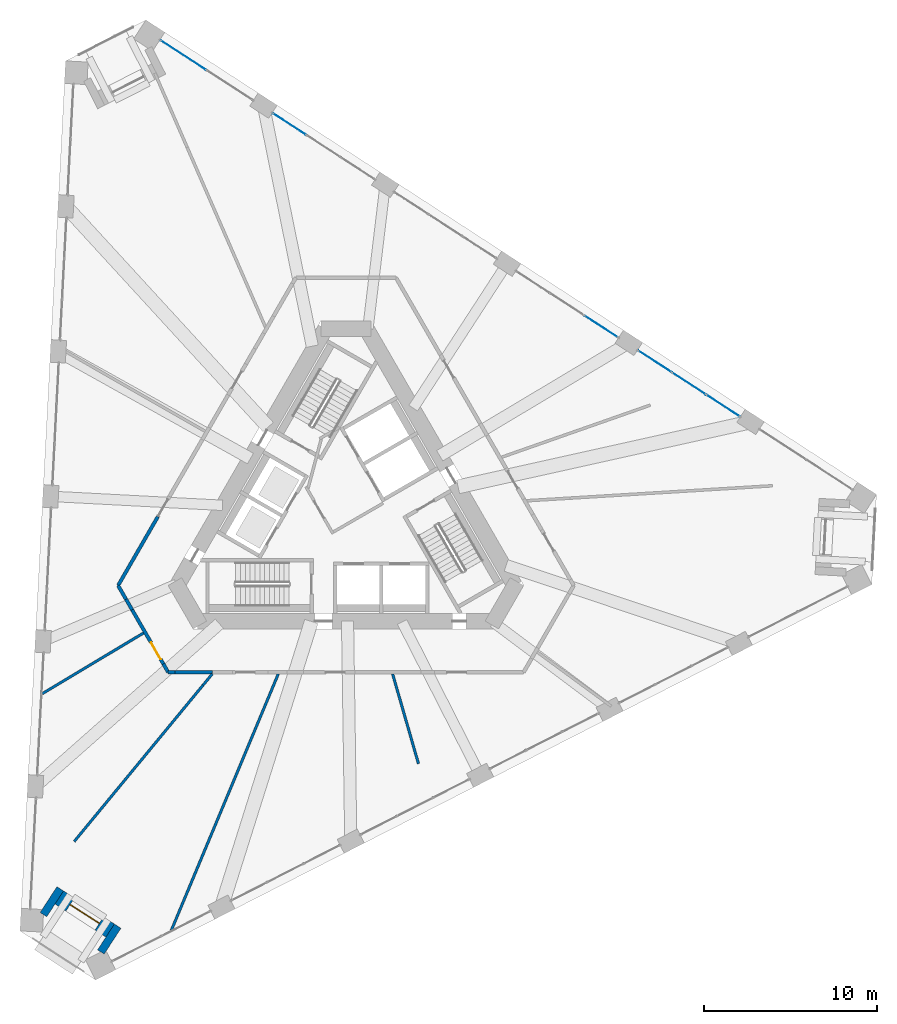
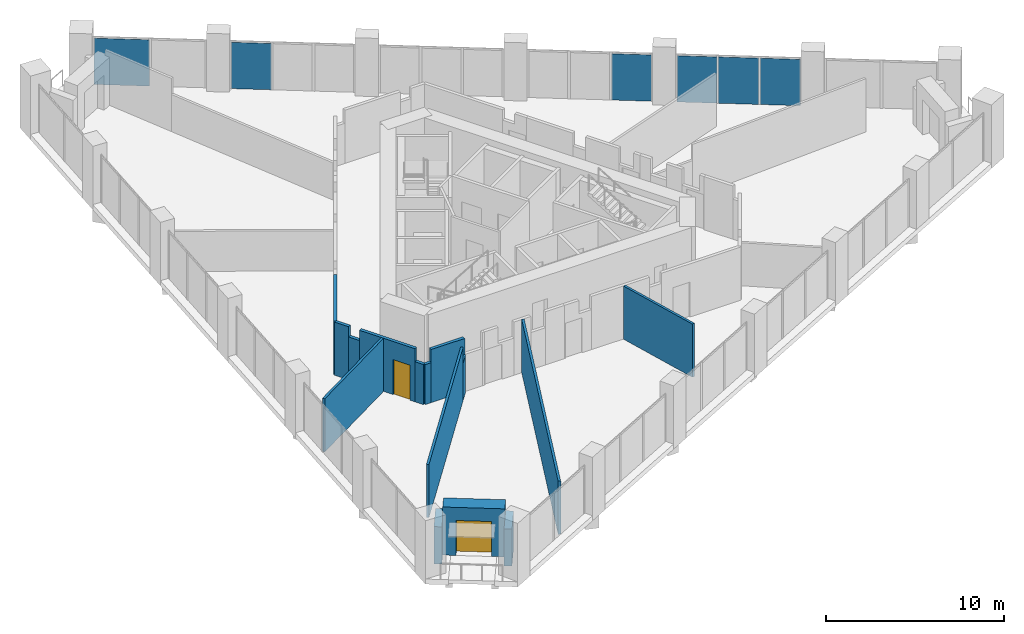
# One storey, part 11 of 18: 15 walls, 6 plates, 2 doors, 2 openings, 4 elements without a shape of their own.
"""IFC4 building model written with IfcOpenShell, lengths in metres."""

from ifc_helpers import new_model, si_unit, direction, frame, frame_2d, origin, origin_2d, place, context, subcontext, project, spatial, rectangle, extrude, material, layer, layer_set, type_object, element, fill, aggregate, save


model = new_model("IFC4")

# Units and contexts
model_context = context("Model", 3, precision=1e-05, world=origin(), true_north=direction((0.0, 1.0)))
body_context = subcontext(model_context, "Body", "Model", "MODEL_VIEW")
ifc_project = project(units=[si_unit("LENGTHUNIT", "METRE"), si_unit("AREAUNIT", "SQUARE_METRE"), si_unit("VOLUMEUNIT", "CUBIC_METRE"), si_unit("PLANEANGLEUNIT", "RADIAN"), si_unit("MASSUNIT", "GRAM", prefix="KILO")], contexts=[model_context])

# Site, building, storey
site_placement = place(None, origin())
site = spatial("IfcSite", under=ifc_project, at=site_placement, CompositionType="ELEMENT")
building_placement = place(site_placement, origin())
building = spatial("IfcBuilding", under=site, at=building_placement, Name="Tramontana Tower", CompositionType="ELEMENT")
storey_placement = place(building_placement, frame((0.0, 0.0, 125.60009765625)))
storey = spatial("IfcBuildingStorey", under=building, at=storey_placement, Name="L28", CompositionType="ELEMENT", Elevation=125.60009765625)

# Curtain wall, plates
ifc_material_1 = material(Name="Aluminum extrusion", Category="aluminium")
ifc_layer_1 = layer(ifc_material_1, 0.14990234375)
ifc_layer_set_1 = layer_set([ifc_layer_1], Name="CW3 Sky lobby 1 curtain wall")
curtain_wall_type = type_object("IfcCurtainWallType", Name="CW3 Sky lobby 1 curtain wall", PredefinedType="NOTDEFINED", material=ifc_layer_set_1)
curtain_wall_1_placement = place(storey_placement, origin())
curtain_wall_1 = element("IfcCurtainWall", 1, at=curtain_wall_1_placement, inside=storey, type_object=curtain_wall_type, Name="CW3 curtain wall L28 face 2 bay 2", PredefinedType="NOTDEFINED")
ifc_material_2 = material(Name="Low-iron double glazing unit", Category="glass")
ifc_layer_2 = layer(ifc_material_2, 0.028076171875)
ifc_layer_set_2 = layer_set([ifc_layer_2], Name="CW3-P Glazing panel 28")
plate_type = type_object("IfcPlateType", Name="CW3-P Glazing panel 28", PredefinedType="CURTAIN_PANEL", material=ifc_layer_set_2)
plate_1_placement = place(storey_placement, frame((21.740966796875, 6.12158203125, 0.0), z_axis=(0.0, 0.0, 1.0), x_axis=(-0.838670567945, 0.544639035015, 0.0)))
plate_1 = element("IfcPlate", 2, at=plate_1_placement, type_object=plate_type, Name="CW3 curtain wall L28 face 2 bay 2 panel 1.1", PredefinedType="CURTAIN_PANEL", context=body_context, shape_type="SweptSolid", body=[
    extrude(rectangle(XDim=2.26708984375, YDim=0.028076171875, at=origin_2d()), origin(), (0.0, 0.0, 1.0), 3.179931640625),
])
plate_2_placement = place(storey_placement, frame((19.77685546875, 7.397216796875, 0.0), z_axis=(0.0, 0.0, 1.0), x_axis=(-0.838670567945, 0.544639035015, 0.0)))
plate_2 = element("IfcPlate", 3, at=plate_2_placement, type_object=plate_type, Name="CW3 curtain wall L28 face 2 bay 2 panel 2.1", PredefinedType="CURTAIN_PANEL", context=body_context, shape_type="SweptSolid", body=[
    extrude(rectangle(XDim=2.297119140625, YDim=0.028076171875, at=origin_2d()), origin(), (0.0, 0.0, 1.0), 3.179931640625),
])
plate_3_placement = place(storey_placement, frame((17.8125, 8.6728515625, 0.0), z_axis=(0.0, 0.0, 1.0), x_axis=(-0.838670567945, 0.544639035015, 0.0)))
plate_3 = element("IfcPlate", 4, at=plate_3_placement, type_object=plate_type, Name="CW3 curtain wall L28 face 2 bay 2 panel 3.1", PredefinedType="CURTAIN_PANEL", context=body_context, shape_type="SweptSolid", body=[
    extrude(rectangle(XDim=2.26708984375, YDim=0.028076171875, at=origin_2d()), origin(), (0.0, 0.0, 1.0), 3.179931640625),
])
aggregate(curtain_wall_1, [plate_1, plate_2, plate_3])

# Curtain wall, plate
curtain_wall_2_placement = place(storey_placement, origin())
curtain_wall_2 = element("IfcCurtainWall", 5, at=curtain_wall_2_placement, inside=storey, type_object=curtain_wall_type, Name="CW3 curtain wall L28 face 2 bay 3", PredefinedType="NOTDEFINED")
plate_4_placement = place(storey_placement, frame((14.719970703125, 10.68115234375, 0.0), z_axis=(0.0, 0.0, 1.0), x_axis=(-0.838670567945, 0.544639035015, 0.0)))
plate_4 = element("IfcPlate", 6, at=plate_4_placement, type_object=plate_type, Name="CW3 curtain wall L28 face 2 bay 3 panel 1.1", PredefinedType="CURTAIN_PANEL", context=body_context, shape_type="SweptSolid", body=[
    extrude(rectangle(XDim=2.26708984375, YDim=0.028076171875, at=origin_2d()), origin(), (0.0, 0.0, 1.0), 3.179931640625),
])
aggregate(curtain_wall_2, [plate_4])

curtain_wall_3_placement = place(storey_placement, origin())
curtain_wall_3 = element("IfcCurtainWall", 7, at=curtain_wall_3_placement, inside=storey, type_object=curtain_wall_type, Name="CW3 curtain wall L28 face 2 bay 5", PredefinedType="NOTDEFINED")
plate_5_placement = place(storey_placement, frame((-3.25048828125, 22.351318359375, 0.0), z_axis=(0.0, 0.0, 1.0), x_axis=(-0.838670567945, 0.544639035015, 0.0)))
plate_5 = element("IfcPlate", 8, at=plate_5_placement, type_object=plate_type, Name="CW3 curtain wall L28 face 2 bay 5 panel 3.1", PredefinedType="CURTAIN_PANEL", context=body_context, shape_type="SweptSolid", body=[
    extrude(rectangle(XDim=2.26708984375, YDim=0.028076171875, at=origin_2d()), origin(), (0.0, 0.0, 1.0), 3.179931640625),
])
aggregate(curtain_wall_3, [plate_5])

curtain_wall_4_placement = place(storey_placement, origin())
curtain_wall_4 = element("IfcCurtainWall", 9, at=curtain_wall_4_placement, inside=storey, type_object=curtain_wall_type, Name="CW3 curtain wall L28 face 2 bay 6", PredefinedType="NOTDEFINED")
plate_6_placement = place(storey_placement, frame((-9.368408203125, 26.32421875, 0.0), z_axis=(0.0, 0.0, 1.0), x_axis=(-0.838670567945, 0.544639035015, 0.0)))
plate_6 = element("IfcPlate", 10, at=plate_6_placement, type_object=plate_type, Name="CW3 curtain wall L28 face 2 bay 6 panel 2.1", PredefinedType="CURTAIN_PANEL", context=body_context, shape_type="SweptSolid", body=[
    extrude(rectangle(XDim=3.120849609375, YDim=0.028076171875, at=origin_2d()), origin(), (0.0, 0.0, 1.0), 3.179931640625),
])
aggregate(curtain_wall_4, [plate_6])

# Walls
ifc_material_3 = material(Name="Blockwork", Category="masonry")
ifc_layer_3 = layer(ifc_material_3, 0.199951171875)
ifc_layer_set_3 = layer_set([ifc_layer_3], Name="ENTRY WALL 200")
wall_type_1 = type_object("IfcWallType", Name="ENTRY WALL 200", PredefinedType="SOLIDWALL", material=ifc_layer_set_3)
wall_1_placement = place(storey_placement, frame((-7.679931640625, -9.25, 0.0), z_axis=(0.0, 0.0, 1.0), x_axis=(-1.0, 0.0, 0.0)))
element("IfcWall", 11, at=wall_1_placement, inside=storey, type_object=wall_type_1, Name="Wall ew2-10", PredefinedType="SOLIDWALL", context=body_context, shape_type="SweptSolid", body=[
    extrude(rectangle(XDim=2.1787109375, YDim=0.199951171875, at=frame_2d((1.08935546875, 0.0))), origin(), (0.0, 0.0, 1.0), 3.64990234375),
])
wall_2_placement = place(storey_placement, frame((-9.858642578125, -9.25, 0.0), z_axis=(0.0, 0.0, 1.0), x_axis=(-1.0, 0.0, 0.0)))
element("IfcWall", 12, at=wall_2_placement, inside=storey, type_object=wall_type_1, Name="Wall ew2-11", PredefinedType="SOLIDWALL", context=body_context, shape_type="SweptSolid", body=[
    extrude(rectangle(XDim=0.389404296875, YDim=0.199951171875, at=frame_2d((0.19482421875, 0.0))), origin(), (0.0, 0.0, 1.0), 2.75),
])
wall_3_placement = place(storey_placement, frame((-10.248046875, -9.25, 0.0), z_axis=(0.0, 0.0, 1.0), x_axis=(-0.499887958344, 0.866090081402, 0.0)))
element("IfcWall", 13, at=wall_3_placement, inside=storey, type_object=wall_type_1, Name="Wall ew3-0", PredefinedType="SOLIDWALL", context=body_context, shape_type="SweptSolid", body=[
    extrude(rectangle(XDim=0.553466796875, YDim=0.199951171875, at=frame_2d((0.27685546875, 0.0))), origin(), (0.0, 0.0, 1.0), 2.75),
])

# Wall, opening, door
wall_4_placement = place(storey_placement, frame((-10.524658203125, -8.770751953125, 0.0), z_axis=(0.0, 0.0, 1.0), x_axis=(-0.500031425827, 0.866007259314, 0.0)))
wall_4 = element("IfcWall", 14, at=wall_4_placement, inside=storey, type_object=wall_type_1, Name="Wall ew3-1", PredefinedType="SOLIDWALL", context=body_context, shape_type="SweptSolid", body=[
    extrude(rectangle(XDim=3.602294921875, YDim=0.199951171875, at=frame_2d((1.80126953125, 0.0))), origin(), (0.0, 0.0, 1.0), 3.64990234375),
])
opening_1_placement = place(wall_4_placement, frame((0.31201171875, 0.0, 0.0)))
opening_1 = element("IfcOpeningElement", 15, at=opening_1_placement, cuts=wall_4, Name="Opening L28-04", PredefinedType="OPENING", context=body_context, shape_type="SweptSolid", body=[
    extrude(rectangle(XDim=1.10009765625, YDim=2.39990234375, at=frame_2d((0.550048828125, 1.199951171875))), frame((0.0, 0.10986328125, 0.0), z_axis=(0.0, -1.0, 0.0), x_axis=(1.0, 0.0, 0.0)), (0.0, 0.0, 1.0), 0.219970703125),
])
ifc_material_4 = material(Name="Painted timber", Category="wood")
door_type_1 = type_object("IfcDoorType", Name="DOOR ENTRY 1100", OperationType="SINGLE_SWING_LEFT", PredefinedType="DOOR", material=ifc_material_4)
door_1_placement = place(opening_1_placement, origin())
door_1 = element("IfcDoor", 16, at=door_1_placement, inside=storey, type_object=door_type_1, Name="Door L28-04", OperationType="SINGLE_SWING_RIGHT", OverallHeight=2.39990234375, OverallWidth=1.10009765625, PredefinedType="DOOR", context=body_context, shape_type="SweptSolid", body=[
    extrude(rectangle(XDim=1.10009765625, YDim=2.39990234375, at=frame_2d((0.550048828125, 1.199951171875))), frame((0.0, 0.02490234375, 0.0), z_axis=(0.0, -1.0, 0.0), x_axis=(1.0, 0.0, 0.0)), (0.0, 0.0, 1.0), 0.050048828125),
])
fill(opening_1, door_1)

# Walls
wall_5_placement = place(storey_placement, frame((-12.325927734375, -5.651123046875, 0.0), z_axis=(0.0, 0.0, 1.0), x_axis=(-0.499752435038, 0.86616828831, 0.0)))
element("IfcWall", 17, at=wall_5_placement, inside=storey, type_object=wall_type_1, Name="Wall ew3-2", PredefinedType="SOLIDWALL", context=body_context, shape_type="SweptSolid", body=[
    extrude(rectangle(XDim=0.704833984375, YDim=0.199951171875, at=frame_2d((0.3525390625, 0.0))), origin(), (0.0, 0.0, 1.0), 2.949951171875),
])
wall_6_placement = place(storey_placement, frame((-12.67822265625, -5.04052734375, 0.0), z_axis=(0.0, 0.0, 1.0), x_axis=(-0.500108273885, 0.865962882802, 0.0)))
element("IfcWall", 18, at=wall_6_placement, inside=storey, type_object=wall_type_1, Name="Wall ew3-3", PredefinedType="SOLIDWALL", context=body_context, shape_type="SweptSolid", body=[
    extrude(rectangle(XDim=0.912841796875, YDim=0.199951171875, at=frame_2d((0.45654296875, 0.0))), origin(), (0.0, 0.0, 1.0), 3.64990234375),
])
wall_7_placement = place(storey_placement, frame((-13.134765625, -4.25, 0.0), z_axis=(0.0, 0.0, 1.0), x_axis=(0.499992833172, 0.866029541515, 0.0)))
element("IfcWall", 19, at=wall_7_placement, inside=storey, type_object=wall_type_1, Name="Wall ew4-0", PredefinedType="SOLIDWALL", context=body_context, shape_type="SweptSolid", body=[
    extrude(rectangle(XDim=4.58544921875, YDim=0.199951171875, at=frame_2d((2.292724609375, 0.0))), origin(), (0.0, 0.0, 1.0), 3.64990234375),
])
ifc_material_5 = material(Name="Precast concrete 60 MPa", Category="concrete")
ifc_layer_4 = layer(ifc_material_5, 0.449951171875)
ifc_layer_set_4 = layer_set([ifc_layer_4], Name="Precast concrete 60 MPa, 450 mm")
wall_type_2 = type_object("IfcWallType", Name="EW1 Stone-faced precast wall 450", PredefinedType="SOLIDWALL", material=ifc_layer_set_4)
for number, where, z_axis, x_axis, name in (
    (20, (-14.126708984375, -25.379638671875, 0.0), (0.0, 0.0, 1.0), (0.544621738408, 0.83868180024, 0.0), "Corner loggia side wall L28 K31l"),
    (21, (-17.439697265625, -23.228271484375, 0.0), (0.0, 0.0, 1.0), (0.544718245588, 0.838619122679, 0.0), "Corner loggia side wall L28 K31r"),
):
    element("IfcWall", number, at=place(storey_placement, frame(where, z_axis=z_axis, x_axis=x_axis)), inside=storey, type_object=wall_type_2, Name=name, PredefinedType="SOLIDWALL", context=body_context, shape_type="SweptSolid", body=[
        extrude(rectangle(XDim=1.779296875, YDim=0.449951171875, at=frame_2d((0.8896484375, 0.0))), origin(), (0.0, 0.0, 1.0), 2.5498046875),
    ])

# Wall, opening, door
ifc_material_6 = material(Name="Precast concrete 60 MPa", Category="concrete")
ifc_layer_5 = layer(ifc_material_6, 0.89990234375)
ifc_layer_set_5 = layer_set([ifc_layer_5], Name="EW2 Stone-faced corner loggia wall 900")
wall_type_3 = type_object("IfcWallType", Name="EW2 Stone-faced corner loggia wall 900", PredefinedType="SOLIDWALL", material=ifc_layer_set_5)
wall_8_placement = place(storey_placement, frame((-13.591552734375, -24.142333984375, 0.0), z_axis=(0.0, 0.0, 1.0), x_axis=(-0.838665071449, 0.544647498784, 0.0)))
wall_8 = element("IfcWall", 22, at=wall_8_placement, inside=storey, type_object=wall_type_3, Name="Corner loggia wall L28 K31", PredefinedType="SOLIDWALL", context=body_context, shape_type="SweptSolid", body=[
    extrude(rectangle(XDim=3.5, YDim=0.89990234375, at=frame_2d((1.75, 0.0))), origin(), (0.0, 0.0, 1.0), 3.2998046875),
])
opening_2_placement = place(wall_8_placement, frame((0.75, 0.0, 0.0)))
opening_2 = element("IfcOpeningElement", 23, at=opening_2_placement, cuts=wall_8, Name="Opening BD-31C", PredefinedType="OPENING", context=body_context, shape_type="SweptSolid", body=[
    extrude(rectangle(XDim=2.0, YDim=2.39990234375, at=frame_2d((1.0, 1.199951171875))), frame((0.0, 0.4599609375, 0.0), z_axis=(0.0, -1.0, 0.0), x_axis=(1.0, 0.0, 0.0)), (0.0, 0.0, 1.0), 0.919921875),
])
ifc_material_7 = material(Name="Aluminum frame, double glazing unit", Category="aluminium")
door_type_2 = type_object("IfcDoorType", Name="BC1 Sliding door 2 x 2.4", OperationType="SLIDING_TO_LEFT", PredefinedType="DOOR", material=ifc_material_7)
door_2_placement = place(opening_2_placement, origin())
door_2 = element("IfcDoor", 24, at=door_2_placement, inside=storey, type_object=door_type_2, Name="Corner loggia door L28 K31", OperationType="SLIDING_TO_LEFT", OverallHeight=2.39990234375, OverallWidth=2.0, PredefinedType="DOOR", context=body_context, shape_type="SweptSolid", body=[
    extrude(rectangle(XDim=2.0, YDim=2.39990234375, at=frame_2d((1.0, 1.199951171875))), frame((0.0, 0.02490234375, 0.0), z_axis=(0.0, -1.0, 0.0), x_axis=(1.0, 0.0, 0.0)), (0.0, 0.0, 1.0), 0.050048828125),
])
fill(opening_2, door_2)

# Walls
ifc_material_8 = material(Name="Gypsum board partition")
ifc_layer_6 = layer(ifc_material_8, 0.14990234375)
ifc_layer_set_6 = layer_set([ifc_layer_6], Name="PARTITION 150")
wall_type_4 = type_object("IfcWallType", Name="PARTITION 150", PredefinedType="PARTITIONING", material=ifc_layer_set_6)
wall_9_placement = place(storey_placement, frame((-11.669189453125, -6.98876953125, 0.0), z_axis=(0.0, 0.0, 1.0), x_axis=(-0.857901349598, -0.513814435724, 0.0)))
element("IfcWall", 25, at=wall_9_placement, inside=storey, type_object=wall_type_4, Name="Wall fw-pw00", PredefinedType="PARTITIONING", context=body_context, shape_type="SweptSolid", body=[
    extrude(rectangle(XDim=6.799560546875, YDim=0.14990234375, at=frame_2d((3.39990234375, 0.0))), origin(), (0.0, 0.0, 1.0), 3.64990234375),
])
wall_10_placement = place(storey_placement, frame((-7.705322265625, -9.35009765625, 0.0), z_axis=(0.0, 0.0, 1.0), x_axis=(-0.636002543614, -0.771686960183, 0.0)))
element("IfcWall", 26, at=wall_10_placement, inside=storey, type_object=wall_type_4, Name="Wall fw-pw02-0", PredefinedType="PARTITIONING", context=body_context, shape_type="SweptSolid", body=[
    extrude(rectangle(XDim=0.84033203125, YDim=0.14990234375, at=frame_2d((0.420166015625, 0.0))), origin(), (0.0, 0.0, 1.0), 2.5498046875),
])
wall_11_placement = place(storey_placement, frame((-8.23974609375, -9.99853515625, 0.0), z_axis=(0.0, 0.0, 1.0), x_axis=(-0.635985012828, -0.771701408226, 0.0)))
element("IfcWall", 27, at=wall_11_placement, inside=storey, type_object=wall_type_4, Name="Wall fw-pw02-1", PredefinedType="PARTITIONING", context=body_context, shape_type="SweptSolid", body=[
    extrude(rectangle(XDim=11.6748046875, YDim=0.14990234375, at=frame_2d((5.83740234375, 0.0))), origin(), (0.0, 0.0, 1.0), 3.64990234375),
])
wall_12_placement = place(storey_placement, frame((-3.900146484375, -9.35009765625, 0.0), z_axis=(0.0, 0.0, 1.0), x_axis=(-0.384954205796, -0.922935674595, 0.0)))
element("IfcWall", 28, at=wall_12_placement, inside=storey, type_object=wall_type_4, Name="Wall fw-pw04", PredefinedType="PARTITIONING", context=body_context, shape_type="SweptSolid", body=[
    extrude(rectangle(XDim=16.01318359375, YDim=0.14990234375, at=frame_2d((8.006591796875, 0.0))), origin(), (0.0, 0.0, 1.0), 3.64990234375),
])
wall_13_placement = place(storey_placement, frame((2.693359375, -9.35009765625, 0.0), z_axis=(0.0, 0.0, 1.0), x_axis=(0.276828214385, -0.960919424156, 0.0)))
element("IfcWall", 29, at=wall_13_placement, inside=storey, type_object=wall_type_4, Name="Wall fw-pw05", PredefinedType="PARTITIONING", context=body_context, shape_type="SweptSolid", body=[
    extrude(rectangle(XDim=5.385009765625, YDim=0.14990234375, at=frame_2d((2.6923828125, 0.0))), origin(), (0.0, 0.0, 1.0), 3.64990234375),
])

save(model, "model.ifc")
